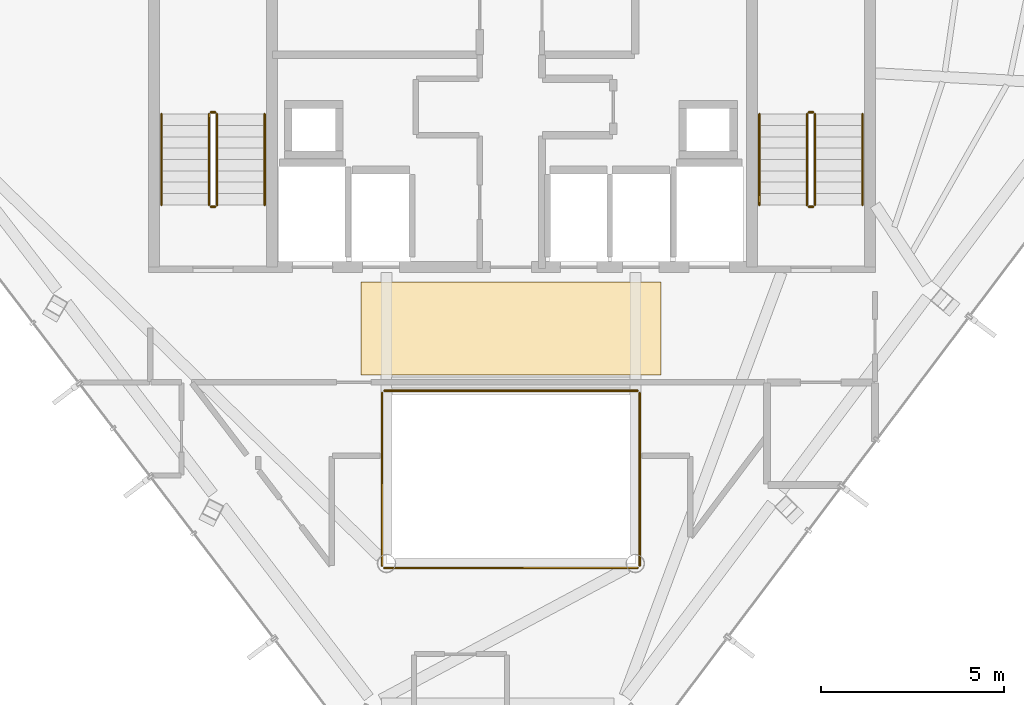
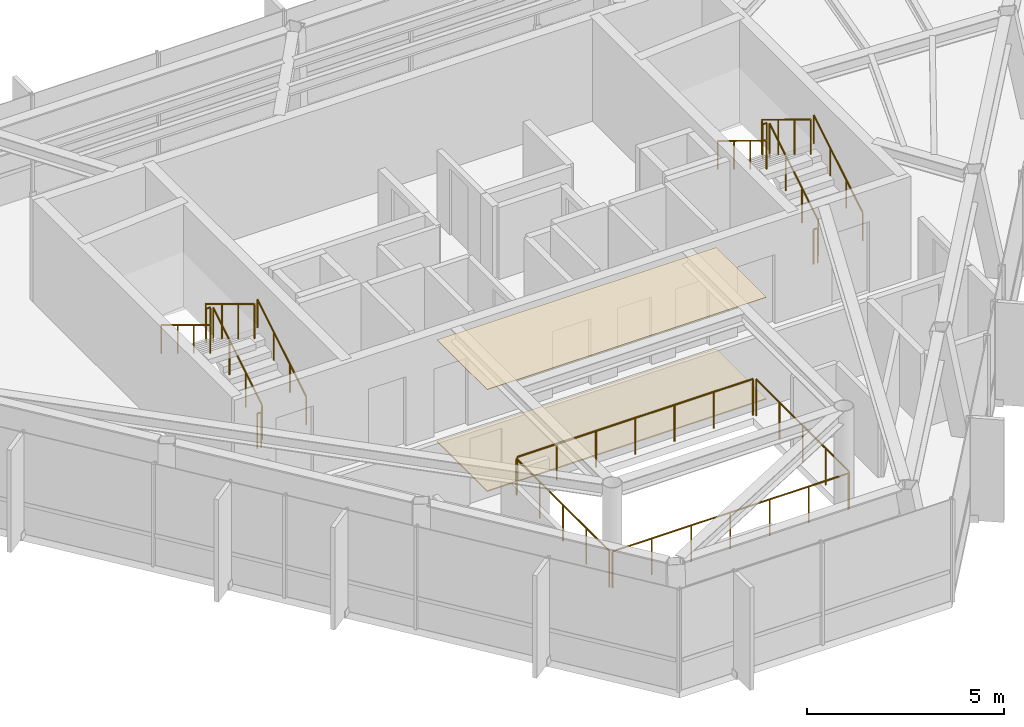
# One storey, part 22 of 22: 16 railings, 2 coverings.
"""IFC4 building model written with IfcOpenShell, lengths in metres."""

from ifc_helpers import new_model, si_unit, direction, frame, origin, origin_2d, place, context, subcontext, project, spatial, polyline, circle, outline, extrude, material, layer, layer_set, type_object, element, save


model = new_model("IFC4")

# Units and contexts
model_context = context("Model", 3, precision=1e-05, world=origin(), true_north=direction((0.0, 1.0)))
body_context = subcontext(model_context, "Body", "Model", "MODEL_VIEW")
ifc_project = project(units=[si_unit("LENGTHUNIT", "METRE"), si_unit("AREAUNIT", "SQUARE_METRE"), si_unit("VOLUMEUNIT", "CUBIC_METRE"), si_unit("PLANEANGLEUNIT", "RADIAN"), si_unit("MASSUNIT", "GRAM", prefix="KILO")], contexts=[model_context])

# Site, building, storey
site_placement = place(None, origin())
site = spatial("IfcSite", under=ifc_project, at=site_placement, CompositionType="ELEMENT")
building_placement = place(site_placement, origin())
building = spatial("IfcBuilding", under=site, at=building_placement, Name="Zarrinselat Tower", CompositionType="ELEMENT")
storey_placement = place(building_placement, frame((0.0, 0.0, 295.800048828125)))
storey = spatial("IfcBuildingStorey", under=building, at=storey_placement, Name="L76", CompositionType="ELEMENT", Elevation=295.800048828125)

# Coverings
ifc_material_1 = material(Name="Fire-Rated Gypsum Board Partition")
ifc_layer_1 = layer(ifc_material_1, 0.014892578125)
ifc_layer_set_1 = layer_set([ifc_layer_1], Name="Fire-Rated Gypsum Board Partition")
covering_type_1 = type_object("IfcCoveringType", Name="COV-CLG-AC15", PredefinedType="CEILING", material=ifc_layer_set_1)
covering_1_placement = place(storey_placement, frame((0.0, 0.0, 3.1650390625)))
element("IfcCovering", 1, at=covering_1_placement, inside=storey, type_object=covering_type_1, Name="L76 Lift Lobby Acoustic Ceiling", PredefinedType="CEILING", context=body_context, shape_type="SweptSolid", body=[
    extrude(outline(polyline([(34.300048828125, 30.35009765625), (42.5, 30.35009765625), (42.5, 32.89990234375), (34.300048828125, 32.89990234375), (34.300048828125, 30.35009765625)])), origin(), (0.0, 0.0, 1.0), 0.014892578125),
])
ifc_material_2 = material(Name="Precast concrete C40/50", Category="concrete")
ifc_layer_2 = layer(ifc_material_2, 0.034912109375)
ifc_layer_set_2 = layer_set([ifc_layer_2], Name="Precast concrete C40/50")
covering_type_2 = type_object("IfcCoveringType", Name="COV-FLR-CP35", PredefinedType="FLOORING", material=ifc_layer_set_2)
covering_2_placement = place(storey_placement, origin())
element("IfcCovering", 2, at=covering_2_placement, inside=storey, type_object=covering_type_2, Name="L76 Lift Lobby Stone Flooring", PredefinedType="FLOORING", context=body_context, shape_type="SweptSolid", body=[
    extrude(outline(polyline([(34.300048828125, 30.35009765625), (42.5, 30.35009765625), (42.5, 32.89990234375), (34.300048828125, 32.89990234375), (34.300048828125, 30.35009765625)])), origin(), (0.0, 0.0, 1.0), 0.034912109375),
])

# Railings
ifc_material_3 = material(Name="Double Low-E Laminated Solar Glass", Category="glass")
railing_type_1 = type_object("IfcRailingType", Name="RLG-ATRIUM-BAL", PredefinedType="BALUSTRADE", material=ifc_material_3)
railing_1_placement = place(storey_placement, frame((34.93994140625, 25.080078125, 0.0)))
element("IfcRailing", 3, at=railing_1_placement, inside=storey, type_object=railing_type_1, Name="L76 Atrium Void Glass Balustrade S", PredefinedType="BALUSTRADE", context=body_context, shape_type="SweptSolid", body=[
    extrude(circle(Radius=0.02392578125, at=origin_2d()), frame((0.0, 0.0, 1.1259765625), z_axis=(1.0, 0.0, 0.0), x_axis=(0.0, 1.0, 0.0)), (0.0, 0.0, 1.0), 6.920166015625),
    extrude(circle(Radius=0.02099609375, at=origin_2d()), origin(), (0.0, 0.0, 1.0), 1.099853515625),
    extrude(circle(Radius=0.02099609375, at=origin_2d()), frame((1.1533203125, 0.0, 0.0)), (0.0, 0.0, 1.0), 1.099853515625),
    extrude(circle(Radius=0.02099609375, at=origin_2d()), frame((2.306640625, 0.0, 0.0)), (0.0, 0.0, 1.0), 1.099853515625),
    extrude(circle(Radius=0.02099609375, at=origin_2d()), frame((3.4599609375, 0.0, 0.0)), (0.0, 0.0, 1.0), 1.099853515625),
    extrude(circle(Radius=0.02099609375, at=origin_2d()), frame((4.613525390625, 0.0, 0.0)), (0.0, 0.0, 1.0), 1.099853515625),
    extrude(circle(Radius=0.02099609375, at=origin_2d()), frame((5.766845703125, 0.0, 0.0)), (0.0, 0.0, 1.0), 1.099853515625),
    extrude(circle(Radius=0.02099609375, at=origin_2d()), frame((6.920166015625, 0.0, 0.0)), (0.0, 0.0, 1.0), 1.099853515625),
])
railing_2_placement = place(storey_placement, frame((41.919921875, 25.139892578125, 0.0)))
element("IfcRailing", 4, at=railing_2_placement, inside=storey, type_object=railing_type_1, Name="L76 Atrium Void Glass Balustrade E", PredefinedType="BALUSTRADE", context=body_context, shape_type="SweptSolid", body=[
    extrude(circle(Radius=0.02392578125, at=origin_2d()), frame((0.0, 0.0, 1.1259765625), z_axis=(0.0, 1.0, 0.0), x_axis=(-1.0, 0.0, 0.0)), (0.0, 0.0, 1.0), 4.72021484375),
    extrude(circle(Radius=0.02099609375, at=origin_2d()), origin(), (0.0, 0.0, 1.0), 1.099853515625),
    extrude(circle(Radius=0.02099609375, at=origin_2d()), frame((0.0, 1.18017578125, 0.0)), (0.0, 0.0, 1.0), 1.099853515625),
    extrude(circle(Radius=0.02099609375, at=origin_2d()), frame((0.0, 2.360107421875, 0.0)), (0.0, 0.0, 1.0), 1.099853515625),
    extrude(circle(Radius=0.02099609375, at=origin_2d()), frame((0.0, 3.5400390625, 0.0)), (0.0, 0.0, 1.0), 1.099853515625),
    extrude(circle(Radius=0.02099609375, at=origin_2d()), frame((0.0, 4.72021484375, 0.0)), (0.0, 0.0, 1.0), 1.099853515625),
])
railing_3_placement = place(storey_placement, frame((41.860107421875, 29.919921875, 0.0)))
element("IfcRailing", 5, at=railing_3_placement, inside=storey, type_object=railing_type_1, Name="L76 Atrium Void Glass Balustrade N", PredefinedType="BALUSTRADE", context=body_context, shape_type="SweptSolid", body=[
    extrude(circle(Radius=0.02392578125, at=origin_2d()), frame((0.0, 0.0, 1.1259765625), z_axis=(-1.0, 0.0, 0.0), x_axis=(0.0, -1.0, 0.0)), (0.0, 0.0, 1.0), 6.920166015625),
    extrude(circle(Radius=0.02099609375, at=origin_2d()), origin(), (0.0, 0.0, 1.0), 1.099853515625),
    extrude(circle(Radius=0.02099609375, at=origin_2d()), frame((-1.1533203125, 0.0, 0.0)), (0.0, 0.0, 1.0), 1.099853515625),
    extrude(circle(Radius=0.02099609375, at=origin_2d()), frame((-2.306640625, 0.0, 0.0)), (0.0, 0.0, 1.0), 1.099853515625),
    extrude(circle(Radius=0.02099609375, at=origin_2d()), frame((-3.4599609375, 0.0, 0.0)), (0.0, 0.0, 1.0), 1.099853515625),
    extrude(circle(Radius=0.02099609375, at=origin_2d()), frame((-4.613525390625, 0.0, 0.0)), (0.0, 0.0, 1.0), 1.099853515625),
    extrude(circle(Radius=0.02099609375, at=origin_2d()), frame((-5.766845703125, 0.0, 0.0)), (0.0, 0.0, 1.0), 1.099853515625),
    extrude(circle(Radius=0.02099609375, at=origin_2d()), frame((-6.920166015625, 0.0, 0.0)), (0.0, 0.0, 1.0), 1.099853515625),
])
railing_4_placement = place(storey_placement, frame((34.8798828125, 29.860107421875, 0.0)))
element("IfcRailing", 6, at=railing_4_placement, inside=storey, type_object=railing_type_1, Name="L76 Atrium Void Glass Balustrade W", PredefinedType="BALUSTRADE", context=body_context, shape_type="SweptSolid", body=[
    extrude(circle(Radius=0.02392578125, at=origin_2d()), frame((0.0, 0.0, 1.1259765625), z_axis=(0.0, -1.0, 0.0), x_axis=(1.0, 0.0, 0.0)), (0.0, 0.0, 1.0), 4.72021484375),
    extrude(circle(Radius=0.02099609375, at=origin_2d()), origin(), (0.0, 0.0, 1.0), 1.099853515625),
    extrude(circle(Radius=0.02099609375, at=origin_2d()), frame((0.0, -1.18017578125, 0.0)), (0.0, 0.0, 1.0), 1.099853515625),
    extrude(circle(Radius=0.02099609375, at=origin_2d()), frame((0.0, -2.360107421875, 0.0)), (0.0, 0.0, 1.0), 1.099853515625),
    extrude(circle(Radius=0.02099609375, at=origin_2d()), frame((0.0, -3.5400390625, 0.0)), (0.0, 0.0, 1.0), 1.099853515625),
    extrude(circle(Radius=0.02099609375, at=origin_2d()), frame((0.0, -4.72021484375, 0.0)), (0.0, 0.0, 1.0), 1.099853515625),
])
ifc_material_4 = material(Name="Steel S355J2", Category="steel")
railing_type_2 = type_object("IfcRailingType", Name="RLG-STAIR-GUARD", PredefinedType="GUARDRAIL", material=ifc_material_4)
railing_5_placement = place(storey_placement, frame((30.3701171875, 35.0, 0.188720703125)))
element("IfcRailing", 7, at=railing_5_placement, inside=storey, type_object=railing_type_2, Name="L76 ST-1 stair guard 1", PredefinedType="GUARDRAIL", context=body_context, shape_type="SweptSolid", body=[
    extrude(circle(Radius=0.02392578125, at=origin_2d()), frame((0.0, 0.0, 1.076171875), z_axis=(0.0, 0.853941963558, 0.520368256982), x_axis=(-1.0, 0.0, 0.0)), (0.0, 0.0, 1.0), 2.904052734375),
    extrude(circle(Radius=0.02099609375, at=origin_2d()), origin(), (0.0, 0.0, 1.0), 1.050048828125),
    extrude(circle(Radius=0.02099609375, at=origin_2d()), frame((0.0, 0.82666015625, 0.503662109375)), (0.0, 0.0, 1.0), 1.050048828125),
    extrude(circle(Radius=0.02099609375, at=origin_2d()), frame((0.0, 1.6533203125, 1.007568359375)), (0.0, 0.0, 1.0), 1.050048828125),
    extrude(circle(Radius=0.02099609375, at=origin_2d()), frame((0.0, 2.47998046875, 1.51123046875)), (0.0, 0.0, 1.0), 1.050048828125),
])
railing_6_placement = place(storey_placement, frame((30.320068359375, 37.530029296875, 1.699951171875)))
element("IfcRailing", 8, at=railing_6_placement, inside=storey, type_object=railing_type_2, Name="L76 ST-1 stair guard 2", PredefinedType="GUARDRAIL", context=body_context, shape_type="SweptSolid", body=[
    extrude(circle(Radius=0.02392578125, at=origin_2d()), frame((0.0, 0.0, 1.076171875), z_axis=(-1.0, 0.0, 0.0), x_axis=(0.0, -1.0, 0.0)), (0.0, 0.0, 1.0), 0.1201171875),
    extrude(circle(Radius=0.02099609375, at=origin_2d()), origin(), (0.0, 0.0, 1.0), 1.050048828125),
    extrude(circle(Radius=0.02099609375, at=origin_2d()), frame((-0.1201171875, 0.0, 0.0)), (0.0, 0.0, 1.0), 1.050048828125),
])
railing_7_placement = place(storey_placement, frame((30.14990234375, 37.47998046875, 1.888916015625)))
element("IfcRailing", 9, at=railing_7_placement, inside=storey, type_object=railing_type_2, Name="L76 ST-1 stair guard 3", PredefinedType="GUARDRAIL", context=body_context, shape_type="SweptSolid", body=[
    extrude(circle(Radius=0.02392578125, at=origin_2d()), frame((0.0, 0.0, 1.076171875), z_axis=(0.0, -0.8539793189, 0.520306950647), x_axis=(1.0, 0.0, 0.0)), (0.0, 0.0, 1.0), 2.904052734375),
    extrude(circle(Radius=0.02099609375, at=origin_2d()), origin(), (0.0, 0.0, 1.0), 1.050048828125),
    extrude(circle(Radius=0.02099609375, at=origin_2d()), frame((0.0, -0.82666015625, 0.503662109375)), (0.0, 0.0, 1.0), 1.050048828125),
    extrude(circle(Radius=0.02099609375, at=origin_2d()), frame((0.0, -1.6533203125, 1.00732421875)), (0.0, 0.0, 1.0), 1.050048828125),
    extrude(circle(Radius=0.02099609375, at=origin_2d()), frame((0.0, -2.47998046875, 1.510986328125)), (0.0, 0.0, 1.0), 1.050048828125),
])
railing_8_placement = place(storey_placement, frame((30.320068359375, 34.949951171875, 0.0)))
element("IfcRailing", 10, at=railing_8_placement, inside=storey, type_object=railing_type_2, Name="L76 ST-1 stair guard 4", PredefinedType="GUARDRAIL", context=body_context, shape_type="SweptSolid", body=[
    extrude(circle(Radius=0.02392578125, at=origin_2d()), frame((0.0, 0.0, 1.076171875), z_axis=(-1.0, 0.0, 0.0), x_axis=(0.0, -1.0, 0.0)), (0.0, 0.0, 1.0), 0.1201171875),
    extrude(circle(Radius=0.02099609375, at=origin_2d()), origin(), (0.0, 0.0, 1.0), 1.050048828125),
    extrude(circle(Radius=0.02099609375, at=origin_2d()), frame((-0.1201171875, 0.0, 0.0)), (0.0, 0.0, 1.0), 1.050048828125),
])
railing_9_placement = place(storey_placement, frame((46.7099609375, 35.0, 0.188720703125)))
element("IfcRailing", 11, at=railing_9_placement, inside=storey, type_object=railing_type_2, Name="L76 ST-2 stair guard 1", PredefinedType="GUARDRAIL", context=body_context, shape_type="SweptSolid", body=[
    extrude(circle(Radius=0.02392578125, at=origin_2d()), frame((0.0, 0.0, 1.076171875), z_axis=(0.0, 0.853941963558, 0.520368256982), x_axis=(-1.0, 0.0, 0.0)), (0.0, 0.0, 1.0), 2.904052734375),
    extrude(circle(Radius=0.02099609375, at=origin_2d()), origin(), (0.0, 0.0, 1.0), 1.050048828125),
    extrude(circle(Radius=0.02099609375, at=origin_2d()), frame((0.0, 0.82666015625, 0.503662109375)), (0.0, 0.0, 1.0), 1.050048828125),
    extrude(circle(Radius=0.02099609375, at=origin_2d()), frame((0.0, 1.6533203125, 1.007568359375)), (0.0, 0.0, 1.0), 1.050048828125),
    extrude(circle(Radius=0.02099609375, at=origin_2d()), frame((0.0, 2.47998046875, 1.51123046875)), (0.0, 0.0, 1.0), 1.050048828125),
])
railing_10_placement = place(storey_placement, frame((46.659912109375, 37.530029296875, 1.699951171875)))
element("IfcRailing", 12, at=railing_10_placement, inside=storey, type_object=railing_type_2, Name="L76 ST-2 stair guard 2", PredefinedType="GUARDRAIL", context=body_context, shape_type="SweptSolid", body=[
    extrude(circle(Radius=0.02392578125, at=origin_2d()), frame((0.0, 0.0, 1.076171875), z_axis=(-1.0, 0.0, 0.0), x_axis=(0.0, -1.0, 0.0)), (0.0, 0.0, 1.0), 0.119873046875),
    extrude(circle(Radius=0.02099609375, at=origin_2d()), origin(), (0.0, 0.0, 1.0), 1.050048828125),
    extrude(circle(Radius=0.02099609375, at=origin_2d()), frame((-0.119873046875, 0.0, 0.0)), (0.0, 0.0, 1.0), 1.050048828125),
])
railing_11_placement = place(storey_placement, frame((46.489990234375, 37.47998046875, 1.888916015625)))
element("IfcRailing", 13, at=railing_11_placement, inside=storey, type_object=railing_type_2, Name="L76 ST-2 stair guard 3", PredefinedType="GUARDRAIL", context=body_context, shape_type="SweptSolid", body=[
    extrude(circle(Radius=0.02392578125, at=origin_2d()), frame((0.0, 0.0, 1.076171875), z_axis=(0.0, -0.8539793189, 0.520306950647), x_axis=(1.0, 0.0, 0.0)), (0.0, 0.0, 1.0), 2.904052734375),
    extrude(circle(Radius=0.02099609375, at=origin_2d()), origin(), (0.0, 0.0, 1.0), 1.050048828125),
    extrude(circle(Radius=0.02099609375, at=origin_2d()), frame((0.0, -0.82666015625, 0.503662109375)), (0.0, 0.0, 1.0), 1.050048828125),
    extrude(circle(Radius=0.02099609375, at=origin_2d()), frame((0.0, -1.6533203125, 1.00732421875)), (0.0, 0.0, 1.0), 1.050048828125),
    extrude(circle(Radius=0.02099609375, at=origin_2d()), frame((0.0, -2.47998046875, 1.510986328125)), (0.0, 0.0, 1.0), 1.050048828125),
])
railing_12_placement = place(storey_placement, frame((46.659912109375, 34.949951171875, 0.0)))
element("IfcRailing", 14, at=railing_12_placement, inside=storey, type_object=railing_type_2, Name="L76 ST-2 stair guard 4", PredefinedType="GUARDRAIL", context=body_context, shape_type="SweptSolid", body=[
    extrude(circle(Radius=0.02392578125, at=origin_2d()), frame((0.0, 0.0, 1.076171875), z_axis=(-1.0, 0.0, 0.0), x_axis=(0.0, -1.0, 0.0)), (0.0, 0.0, 1.0), 0.119873046875),
    extrude(circle(Radius=0.02099609375, at=origin_2d()), origin(), (0.0, 0.0, 1.0), 1.050048828125),
    extrude(circle(Radius=0.02099609375, at=origin_2d()), frame((-0.119873046875, 0.0, 0.0)), (0.0, 0.0, 1.0), 1.050048828125),
])
ifc_material_5 = material(Name="Steel S355J2", Category="steel")
railing_type_3 = type_object("IfcRailingType", Name="RLG-STAIR-HAND", PredefinedType="HANDRAIL", material=ifc_material_5)
railing_13_placement = place(storey_placement, frame((31.669921875, 35.0, 0.188720703125)))
element("IfcRailing", 15, at=railing_13_placement, inside=storey, type_object=railing_type_3, Name="L76 ST-1 stair handrail 1", PredefinedType="HANDRAIL", context=body_context, shape_type="SweptSolid", body=[
    extrude(circle(Radius=0.02392578125, at=origin_2d()), frame((0.0, 0.0, 0.8759765625), z_axis=(0.0, 0.853941963558, 0.520368256982), x_axis=(-1.0, 0.0, 0.0)), (0.0, 0.0, 1.0), 2.904052734375),
    extrude(circle(Radius=0.02099609375, at=origin_2d()), origin(), (0.0, 0.0, 1.0), 0.849853515625),
    extrude(circle(Radius=0.02099609375, at=origin_2d()), frame((0.0, 0.82666015625, 0.503662109375)), (0.0, 0.0, 1.0), 0.849853515625),
    extrude(circle(Radius=0.02099609375, at=origin_2d()), frame((0.0, 1.6533203125, 1.007568359375)), (0.0, 0.0, 1.0), 0.849853515625),
    extrude(circle(Radius=0.02099609375, at=origin_2d()), frame((0.0, 2.47998046875, 1.51123046875)), (0.0, 0.0, 1.0), 0.849853515625),
])
railing_14_placement = place(storey_placement, frame((28.85009765625, 37.47998046875, 1.888916015625)))
element("IfcRailing", 16, at=railing_14_placement, inside=storey, type_object=railing_type_3, Name="L76 ST-1 stair handrail 2", PredefinedType="HANDRAIL", context=body_context, shape_type="SweptSolid", body=[
    extrude(circle(Radius=0.02392578125, at=origin_2d()), frame((0.0, 0.0, 0.8759765625), z_axis=(0.0, -0.8539793189, 0.520306950647), x_axis=(1.0, 0.0, 0.0)), (0.0, 0.0, 1.0), 2.904052734375),
    extrude(circle(Radius=0.02099609375, at=origin_2d()), origin(), (0.0, 0.0, 1.0), 0.849853515625),
    extrude(circle(Radius=0.02099609375, at=origin_2d()), frame((0.0, -0.82666015625, 0.503662109375)), (0.0, 0.0, 1.0), 0.849853515625),
    extrude(circle(Radius=0.02099609375, at=origin_2d()), frame((0.0, -1.6533203125, 1.00732421875)), (0.0, 0.0, 1.0), 0.849853515625),
    extrude(circle(Radius=0.02099609375, at=origin_2d()), frame((0.0, -2.47998046875, 1.510986328125)), (0.0, 0.0, 1.0), 0.849853515625),
])
railing_15_placement = place(storey_placement, frame((48.010009765625, 35.0, 0.188720703125)))
element("IfcRailing", 17, at=railing_15_placement, inside=storey, type_object=railing_type_3, Name="L76 ST-2 stair handrail 1", PredefinedType="HANDRAIL", context=body_context, shape_type="SweptSolid", body=[
    extrude(circle(Radius=0.02392578125, at=origin_2d()), frame((0.0, 0.0, 0.8759765625), z_axis=(0.0, 0.853941963558, 0.520368256982), x_axis=(-1.0, 0.0, 0.0)), (0.0, 0.0, 1.0), 2.904052734375),
    extrude(circle(Radius=0.02099609375, at=origin_2d()), origin(), (0.0, 0.0, 1.0), 0.849853515625),
    extrude(circle(Radius=0.02099609375, at=origin_2d()), frame((0.0, 0.82666015625, 0.503662109375)), (0.0, 0.0, 1.0), 0.849853515625),
    extrude(circle(Radius=0.02099609375, at=origin_2d()), frame((0.0, 1.6533203125, 1.007568359375)), (0.0, 0.0, 1.0), 0.849853515625),
    extrude(circle(Radius=0.02099609375, at=origin_2d()), frame((0.0, 2.47998046875, 1.51123046875)), (0.0, 0.0, 1.0), 0.849853515625),
])
railing_16_placement = place(storey_placement, frame((45.18994140625, 37.47998046875, 1.888916015625)))
element("IfcRailing", 18, at=railing_16_placement, inside=storey, type_object=railing_type_3, Name="L76 ST-2 stair handrail 2", PredefinedType="HANDRAIL", context=body_context, shape_type="SweptSolid", body=[
    extrude(circle(Radius=0.02392578125, at=origin_2d()), frame((0.0, 0.0, 0.8759765625), z_axis=(0.0, -0.8539793189, 0.520306950647), x_axis=(1.0, 0.0, 0.0)), (0.0, 0.0, 1.0), 2.904052734375),
    extrude(circle(Radius=0.02099609375, at=origin_2d()), origin(), (0.0, 0.0, 1.0), 0.849853515625),
    extrude(circle(Radius=0.02099609375, at=origin_2d()), frame((0.0, -0.82666015625, 0.503662109375)), (0.0, 0.0, 1.0), 0.849853515625),
    extrude(circle(Radius=0.02099609375, at=origin_2d()), frame((0.0, -1.6533203125, 1.00732421875)), (0.0, 0.0, 1.0), 0.849853515625),
    extrude(circle(Radius=0.02099609375, at=origin_2d()), frame((0.0, -2.47998046875, 1.510986328125)), (0.0, 0.0, 1.0), 0.849853515625),
])

save(model, "model.ifc")
